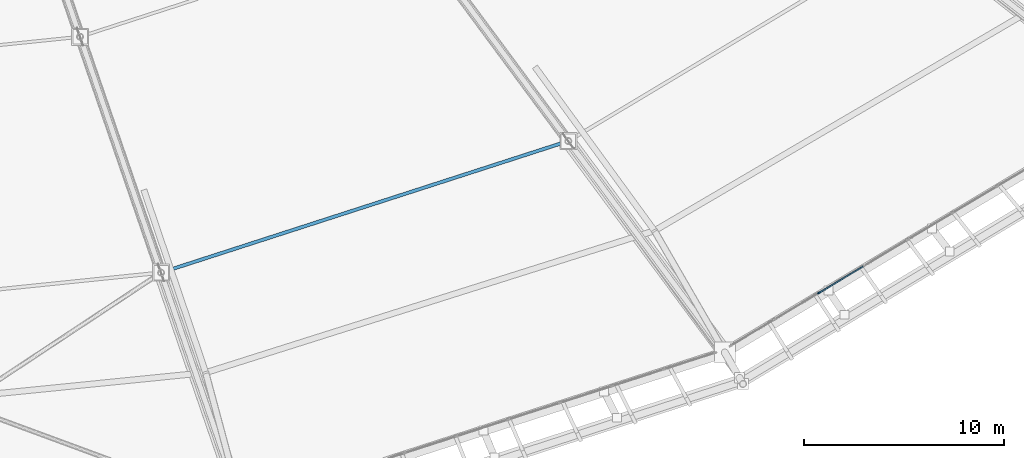
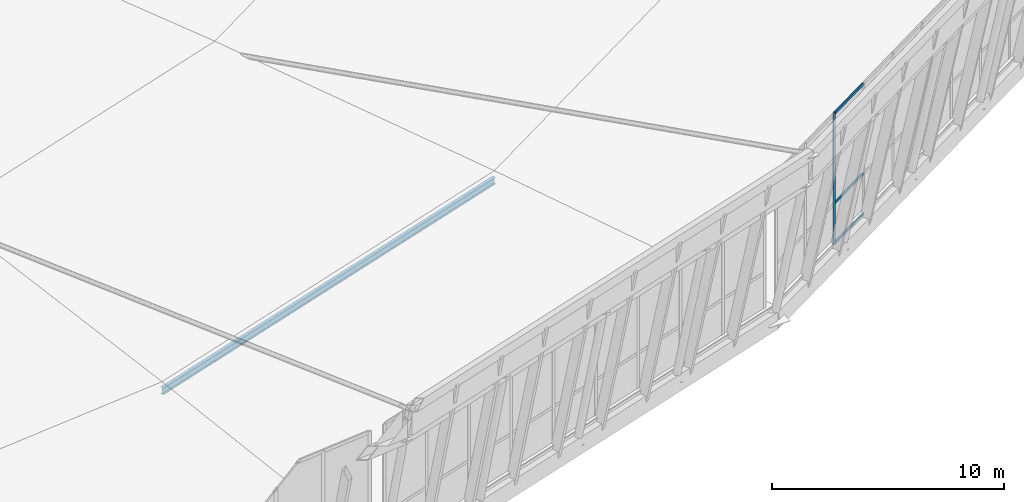
# One storey, part 36 of 115: 5 members, 1 element without a shape of its own.
"""IFC4 building model written with IfcOpenShell, lengths in metres."""

from ifc_helpers import new_model, si_unit, direction, frame, origin, origin_2d, place, context, subcontext, project, spatial, rectangle, i_section, extrude, material, material_profile, profile_set, type_object, element, aggregate, save


model = new_model("IFC4")

# Units and contexts
model_context = context("Model", 3, precision=1e-05, world=origin(), true_north=direction((0.0, 1.0)))
body_context = subcontext(model_context, "Body", "Model", "MODEL_VIEW")
ifc_project = project(units=[si_unit("LENGTHUNIT", "METRE"), si_unit("AREAUNIT", "SQUARE_METRE"), si_unit("VOLUMEUNIT", "CUBIC_METRE"), si_unit("PLANEANGLEUNIT", "RADIAN"), si_unit("MASSUNIT", "GRAM", prefix="KILO")], contexts=[model_context])

# Site, building, storey
site_placement = place(None, origin())
site = spatial("IfcSite", under=ifc_project, at=site_placement, CompositionType="ELEMENT")
building_placement = place(site_placement, origin())
building = spatial("IfcBuilding", under=site, at=building_placement, Name="Zlatoyarsky Gate Stadium", CompositionType="ELEMENT")
storey_placement = place(building_placement, frame((0.0, 0.0, 31.800048828125)))
storey = spatial("IfcBuildingStorey", under=building, at=storey_placement, Name="RF", CompositionType="ELEMENT", Elevation=31.800048828125)

# Curtain wall, members
ifc_material_1 = material(Name="Thermally broken anodised aluminium curtain wall", Category="aluminium")
curtain_wall_type = type_object("IfcCurtainWallType", Name="UNITISED SKYBOX RING GLAZING L05", PredefinedType="USERDEFINED", material=ifc_material_1)
curtain_wall_placement = place(storey_placement, origin())
curtain_wall = element("IfcCurtainWall", 1, at=curtain_wall_placement, inside=storey, type_object=curtain_wall_type, Name="Curtain wall CW-RF-20", ObjectType="UNITISED GLAZING", PredefinedType="USERDEFINED")
ifc_material_2 = material(Name="Anodised aluminium 6063-T6", Category="aluminium")
ifc_material_profile_1 = material_profile(ifc_material_2, rectangle(XDim=0.06494140625, YDim=0.159912109375, at=origin_2d()), Name="ALU 65X160")
ifc_profile_set_1 = profile_set([ifc_material_profile_1], Name="Anodised aluminium 6063-T6")
member_type_1 = type_object("IfcMemberType", Name="ALUMINIUM MULLION 65X160", PredefinedType="MULLION", material=ifc_profile_set_1)
member_1_placement = place(storey_placement, frame((165.731689453125, 15.412109375, 0.0), z_axis=(0.0, 0.0, 1.0), x_axis=(-0.513435995817, 0.858127891517, 0.0)))
member_1 = element("IfcMember", 2, at=member_1_placement, type_object=member_type_1, Name="CW-UG5 mullion 3", PredefinedType="MULLION", context=body_context, shape_type="SweptSolid", body=[
    extrude(rectangle(XDim=0.06494140625, YDim=0.159912109375, at=origin_2d()), origin(), (0.0, 0.0, 1.0), 6.89990234375),
])
ifc_material_profile_2 = material_profile(ifc_material_2, rectangle(XDim=0.06494140625, YDim=0.139892578125, at=origin_2d()), Name="ALU 65X140")
ifc_profile_set_2 = profile_set([ifc_material_profile_2], Name="Anodised aluminium 6063-T6")
member_type_2 = type_object("IfcMemberType", Name="ALUMINIUM TRANSOM 65X140", PredefinedType="USERDEFINED", material=ifc_profile_set_2)
member_2_placement = place(storey_placement, frame((165.759521484375, 15.4287109375, 0.032470703125), z_axis=(0.858106637298, 0.513471517248, 0.0), x_axis=(-0.513471517248, 0.858106637298, 0.0)))
member_2 = element("IfcMember", 3, at=member_2_placement, type_object=member_type_2, Name="CW-UG5 transom 3.1", ObjectType="TRANSOM", PredefinedType="USERDEFINED", context=body_context, shape_type="SweptSolid", body=[
    extrude(rectangle(XDim=0.06494140625, YDim=0.139892578125, at=origin_2d()), origin(), (0.0, 0.0, 1.0), 2.524658203125),
])
member_3_placement = place(storey_placement, frame((165.759521484375, 15.4287109375, 2.14990234375), z_axis=(0.858106637298, 0.513471517248, 0.0), x_axis=(-0.513471517248, 0.858106637298, 0.0)))
member_3 = element("IfcMember", 4, at=member_3_placement, type_object=member_type_2, Name="CW-UG5 transom 3.2", ObjectType="TRANSOM", PredefinedType="USERDEFINED", context=body_context, shape_type="SweptSolid", body=[
    extrude(rectangle(XDim=0.06494140625, YDim=0.139892578125, at=origin_2d()), origin(), (0.0, 0.0, 1.0), 2.524658203125),
])
member_4_placement = place(storey_placement, frame((165.759521484375, 15.4287109375, 6.867431640625), z_axis=(0.858106637298, 0.513471517248, 0.0), x_axis=(-0.513471517248, 0.858106637298, 0.0)))
member_4 = element("IfcMember", 5, at=member_4_placement, type_object=member_type_2, Name="CW-UG5 transom 3.3", ObjectType="TRANSOM", PredefinedType="USERDEFINED", context=body_context, shape_type="SweptSolid", body=[
    extrude(rectangle(XDim=0.06494140625, YDim=0.139892578125, at=origin_2d()), origin(), (0.0, 0.0, 1.0), 2.524658203125),
])
aggregate(curtain_wall, [member_1, member_2, member_3, member_4])

# Member
ifc_material_3 = material(Name="Steel S355", Category="steel")
ifc_material_profile_3 = material_profile(ifc_material_3, i_section(OverallWidth=0.169921875, OverallDepth=0.360107421875, WebThickness=0.008056640625, FlangeThickness=0.0126953125, FilletRadius=0.01806640625, at=origin_2d()), Name="IPE 360")
ifc_profile_set_3 = profile_set([ifc_material_profile_3], Name="Steel S355")
member_type_3 = type_object("IfcMemberType", Name="STEEL LONG SPAN PURLIN IPE 360", PredefinedType="PURLIN", material=ifc_profile_set_3)
member_5_placement = place(storey_placement, frame((132.840087890625, 16.418701171875, 3.179931640625), z_axis=(0.951559496613, 0.3074646718, 0.0), x_axis=(-0.3074646718, 0.951559496613, 0.0)))
element("IfcMember", 6, at=member_5_placement, inside=storey, type_object=member_type_3, Name="Stadium roof purlin 19.1", PredefinedType="PURLIN", context=body_context, shape_type="SweptSolid", body=[
    extrude(i_section(OverallWidth=0.169921875, OverallDepth=0.360107421875, WebThickness=0.008056640625, FlangeThickness=0.0126953125, FilletRadius=0.01806640625, at=origin_2d()), origin(), (0.0, 0.0, 1.0), 21.3876953125),
])

save(model, "model.ifc")
